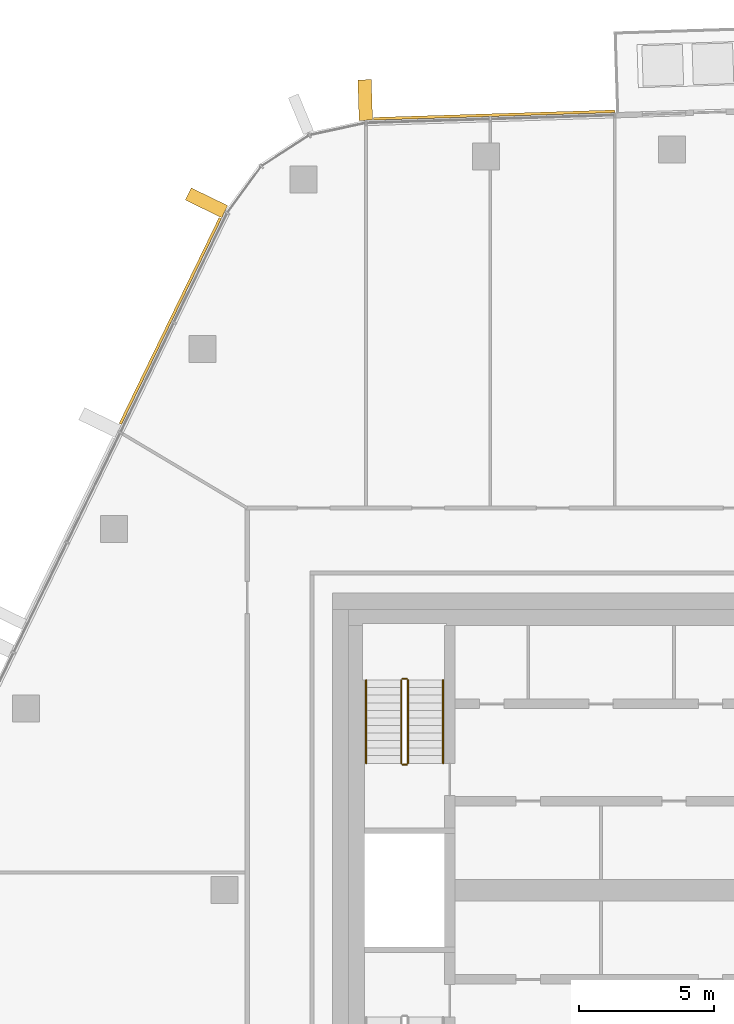
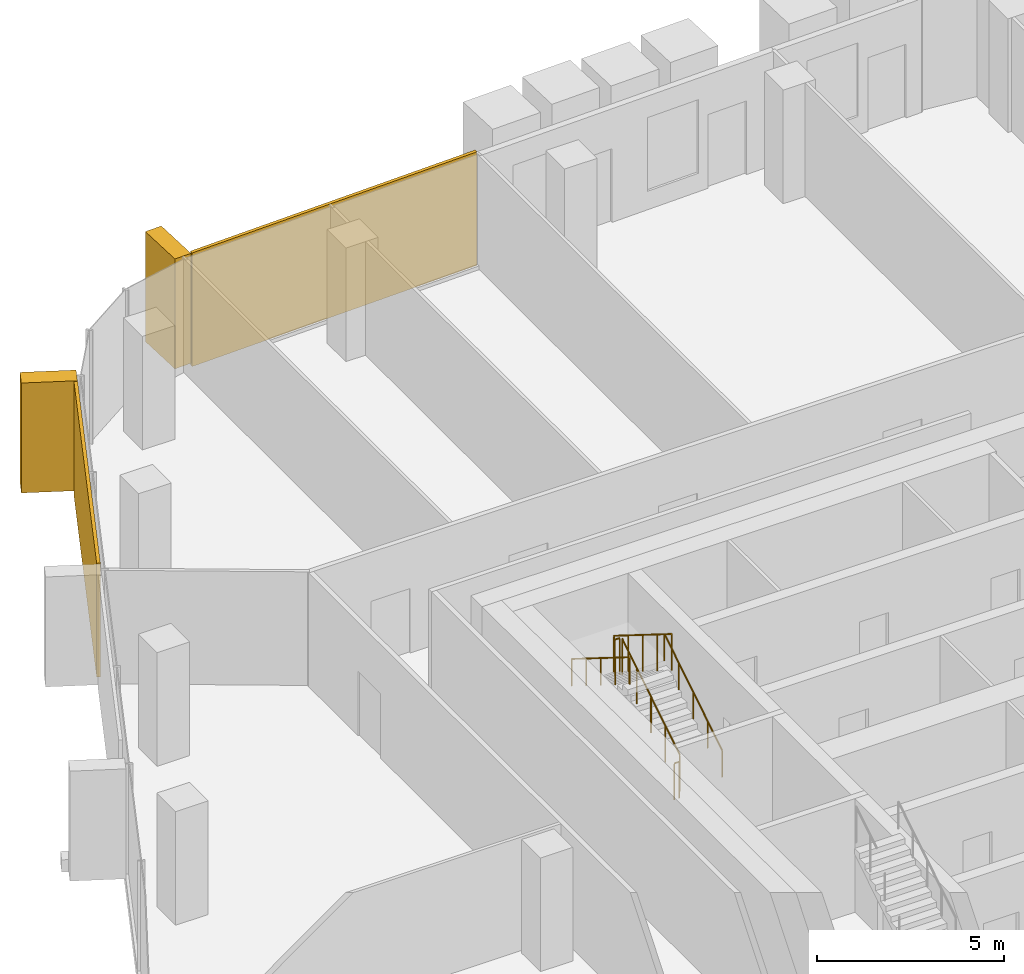
# One storey, part 22 of 24: 6 railings, 4 coverings, 2 elements without a shape of their own.
"""IFC4 building model written with IfcOpenShell, lengths in metres."""

import ifcopenshell
import ifcopenshell.guid

model = None  # the IFC model being written
_history = None  # IfcOwnerHistory: only IFC2X3 demands one
_inside = {}  # id of a spatial element -> (the spatial element, [elements in it])
_under = {}  # id of a project, library or spatial element -> (it, [spatial elements below it])
_declared = {}  # id of a project -> (the project, [libraries it declares])
_typed = {}  # id of a type object -> (the type object, [elements of that type])
_made_of = {}  # id of a material, layer set ... -> (it, [elements and type objects made of it])


def new_model(schema):
    """Start an empty IFC model of exactly this schema.

    Asked for "IFC4X3", IfcOpenShell would pick the latest addendum, in which some entities
    have other attributes; the version numbers below select the first issue.
    IFC2X3 requires an IfcOwnerHistory on every rooted entity: one is made here for all.
    """
    global model, _history
    if schema == "IFC4X3":
        model = ifcopenshell.file(schema_version=(4, 3, 0, 0))
    else:
        model = ifcopenshell.file(schema=schema)
    _inside.clear()
    _under.clear()
    _declared.clear()
    _typed.clear()
    _made_of.clear()
    _history = None
    if model.schema == "IFC2X3":
        org = make("IfcOrganization", Name="unknown")
        user = make(
            "IfcPersonAndOrganization",
            ThePerson=make("IfcPerson", FamilyName="unknown"),
            TheOrganization=org,
        )
        app = make(
            "IfcApplication",
            ApplicationDeveloper=org,
            Version="unknown",
            ApplicationFullName="unknown",
            ApplicationIdentifier="unknown",
        )
        _history = make(
            "IfcOwnerHistory",
            OwningUser=user,
            OwningApplication=app,
            ChangeAction="ADDED",
            CreationDate=0,
        )
    return model


def make(cls, **values):
    """One entity of the class cls with the attributes given. An attribute that is None is left unset."""
    return model.create_entity(
        cls, **{name: value for name, value in values.items() if value is not None}
    )


def rooted(cls, **values):
    """An entity with a GlobalId (a new one), such as an element, a storey or a relation."""
    return make(cls, GlobalId=ifcopenshell.guid.new(), OwnerHistory=_history, **values)


def si_unit(unit_type, name, prefix=None):
    """IfcSIUnit, for example si_unit("LENGTHUNIT", "METRE", prefix="MILLI")."""
    return make("IfcSIUnit", UnitType=unit_type, Prefix=prefix, Name=name)


def assignment(units):
    """IfcUnitAssignment: the units of a project."""
    return None if units is None else make("IfcUnitAssignment", Units=units)


def point(xyz):
    """IfcCartesianPoint."""
    return None if xyz is None else make("IfcCartesianPoint", Coordinates=xyz)


def direction(xyz):
    """IfcDirection."""
    return None if xyz is None else make("IfcDirection", DirectionRatios=xyz)


def frame(location, z_axis=None, x_axis=None):
    """IfcAxis2Placement3D, a coordinate frame: its origin and axes. An axis left out is left unset."""
    return make(
        "IfcAxis2Placement3D",
        Location=point(location),
        Axis=direction(z_axis),
        RefDirection=direction(x_axis),
    )


def frame_2d(location, x_axis=None):
    """IfcAxis2Placement2D, a coordinate frame in the plane: its origin and x axis."""
    return make(
        "IfcAxis2Placement2D", Location=point(location), RefDirection=direction(x_axis)
    )


def origin():
    """The frame at (0, 0, 0) with its axes left unset."""
    return frame((0.0, 0.0, 0.0))


def origin_2d():
    """The frame at (0, 0) in the plane with its x axis left unset."""
    return frame_2d((0.0, 0.0))


def place(relative_to, where):
    """IfcLocalPlacement: puts the frame where relative to a parent placement (None: the world)."""
    return make(
        "IfcLocalPlacement", PlacementRelTo=relative_to, RelativePlacement=where
    )


def context(
    kind, dimensions, precision=None, world=None, true_north=None, identifier=None
):
    """IfcGeometricRepresentationContext, for example the 3D "Model" context."""
    return make(
        "IfcGeometricRepresentationContext",
        ContextIdentifier=identifier,
        ContextType=kind,
        CoordinateSpaceDimension=dimensions,
        Precision=precision,
        WorldCoordinateSystem=world,
        TrueNorth=true_north,
    )


def subcontext(parent, identifier, kind, view, scale=None):
    """IfcGeometricRepresentationSubContext, for example "Body" below "Model"."""
    return make(
        "IfcGeometricRepresentationSubContext",
        ContextIdentifier=identifier,
        ContextType=kind,
        ParentContext=parent,
        TargetScale=scale,
        TargetView=view,
    )


def project(units=None, contexts=None):
    """IfcProject with its units and contexts."""
    return rooted(
        "IfcProject",
        Name="project",
        RepresentationContexts=contexts,
        UnitsInContext=assignment(units),
    )


def spatial(cls, under=None, at=None, **own):
    """A site, building, storey or space (cls), placed at a placement, below another one or the project."""
    s = rooted(cls, ObjectPlacement=at, **own)
    if under is not None:
        _under.setdefault(under.id(), (under, []))[1].append(s)
    return s


def profile(cls, at=None, kind="AREA", **sizes):
    """A parametric profile (cls). Its sizes go by their IFC names, for example OverallWidth=200.0."""
    return make(cls, ProfileType=kind, Position=at, **sizes)


def rectangle(**sizes):
    """IfcRectangleProfileDef."""
    return profile("IfcRectangleProfileDef", **sizes)


def circle(**sizes):
    """IfcCircleProfileDef."""
    return profile("IfcCircleProfileDef", **sizes)


def extrude(swept, where, along, depth):
    """IfcExtrudedAreaSolid: the profile swept, set in the frame where, extruded along a direction by depth."""
    return make(
        "IfcExtrudedAreaSolid",
        SweptArea=swept,
        Position=where,
        ExtrudedDirection=direction(along),
        Depth=depth,
    )


def shape(context_of_items, identifier, shape_type, items):
    """IfcShapeRepresentation: the items that make up one representation, for example the "Body"."""
    return make(
        "IfcShapeRepresentation",
        ContextOfItems=context_of_items,
        RepresentationIdentifier=identifier,
        RepresentationType=shape_type,
        Items=items,
    )


def material(Name=None, Category=None):
    """IfcMaterial."""
    return make("IfcMaterial", Name=Name, Category=Category)


def layer(
    of_material, thickness, ventilated=None, Name=None, Category=None, Priority=None
):
    """IfcMaterialLayer: one layer of a wall or slab, of a material (None: an air gap)."""
    return make(
        "IfcMaterialLayer",
        Material=of_material,
        LayerThickness=thickness,
        IsVentilated=ventilated,
        Name=Name,
        Category=Category,
        Priority=Priority,
    )


def layer_set(layers, Name=None):
    """IfcMaterialLayerSet."""
    return make("IfcMaterialLayerSet", MaterialLayers=layers, LayerSetName=Name)


def material_profile(
    of_material, cross_section, Name=None, Category=None, Priority=None
):
    """IfcMaterialProfile: a cross section and its material."""
    return make(
        "IfcMaterialProfile",
        Name=Name,
        Material=of_material,
        Profile=cross_section,
        Priority=Priority,
        Category=Category,
    )


def profile_set(profiles, Name=None, composite=None):
    """IfcMaterialProfileSet."""
    return make(
        "IfcMaterialProfileSet",
        Name=Name,
        MaterialProfiles=profiles,
        CompositeProfile=composite,
    )


def made_of(thing, what):
    """Note that an element or type object is made of a material, layer set ...; save() writes the relation."""
    if what is not None:
        _made_of.setdefault(what.id(), (what, []))[1].append(thing)
    return thing


def type_object(cls, material=None, **own):
    """A type object (cls), such as IfcWallType, which elements share."""
    return made_of(rooted(cls, **own), material)


def element(
    cls,
    number,
    at=None,
    inside=None,
    cuts=None,
    type_object=None,
    material=None,
    context=None,
    identifier="Body",
    shape_type=None,
    held_by="IfcProductDefinitionShape",
    body=None,
    shapes=None,
    **own,
):
    """One element of the class cls, such as IfcWall. Its Tag is "e" and its number.

    at: its placement. inside: the storey or other place that contains it. cuts: it is an
    opening in that element (IfcRelVoidsElement). A single representation is given by context,
    identifier, shape_type and body (its items); several are given by shapes. held_by: the class
    of the entity that holds the representations. save() writes the other relations.
    """
    e = rooted(cls, Tag="e%d" % number, ObjectPlacement=at, **own)
    if body is not None:
        shapes = [shape(context, identifier, shape_type, body)]
    if shapes is not None:
        e.Representation = make(held_by, Representations=shapes)
    if inside is not None:
        _inside.setdefault(inside.id(), (inside, []))[1].append(e)
    if cuts is not None:
        rooted(
            "IfcRelVoidsElement", RelatingBuildingElement=cuts, RelatedOpeningElement=e
        )
    if type_object is not None:
        _typed.setdefault(type_object.id(), (type_object, []))[1].append(e)
    return made_of(e, material)


def aggregate(whole, parts):
    """IfcRelAggregates: a whole, such as a stair, and the parts it consists of."""
    return rooted("IfcRelAggregates", RelatingObject=whole, RelatedObjects=parts)


def save(model, path):
    """Write the relations noted so far, then the file.

    IfcRelAggregates (storeys below a building ...), IfcRelContainedInSpatialStructure (elements
    in a storey), IfcRelDefinesByType, IfcRelAssociatesMaterial and IfcRelDeclares: one each for
    every whole, place, type object, material and project.
    """
    for whole, parts in _under.values():
        aggregate(whole, parts)
    for where, things in _inside.values():
        rooted(
            "IfcRelContainedInSpatialStructure",
            RelatedElements=things,
            RelatingStructure=where,
        )
    for kind, things in _typed.values():
        rooted("IfcRelDefinesByType", RelatedObjects=things, RelatingType=kind)
    for what, things in _made_of.values():
        rooted("IfcRelAssociatesMaterial", RelatedObjects=things, RelatingMaterial=what)
    for by, libraries in _declared.values():
        rooted("IfcRelDeclares", RelatingContext=by, RelatedDefinitions=libraries)
    model.write(path)


model = new_model("IFC4")

# Units and contexts
model_context = context("Model", 3, precision=1e-05, world=origin(), true_north=direction((0.0, 1.0)))
body_context = subcontext(model_context, "Body", "Model", "MODEL_VIEW")
ifc_project = project(units=[si_unit("LENGTHUNIT", "METRE"), si_unit("AREAUNIT", "SQUARE_METRE"), si_unit("VOLUMEUNIT", "CUBIC_METRE"), si_unit("PLANEANGLEUNIT", "RADIAN"), si_unit("MASSUNIT", "GRAM", prefix="KILO")], contexts=[model_context])

# Site, building, storey
site_placement = place(None, origin())
site = spatial("IfcSite", under=ifc_project, at=site_placement, CompositionType="ELEMENT")
building_placement = place(site_placement, origin())
building = spatial("IfcBuilding", under=site, at=building_placement, Name="Dongbaek Canopy Tower", CompositionType="ELEMENT")
storey_placement = place(building_placement, frame((0.0, 0.0, 348.800048828125)))
storey = spatial("IfcBuildingStorey", under=building, at=storey_placement, Name="L75", CompositionType="ELEMENT", Elevation=348.800048828125)

# Curtain wall, covering
ifc_material_1 = material(Name="Aluminium 6063-T6 pale anodised", Category="aluminium")
ifc_layer_1 = layer(ifc_material_1, 0.199951171875)
ifc_layer_set_1 = layer_set([ifc_layer_1], Name="CW-1 unitised tower curtain wall")
curtain_wall_type = type_object("IfcCurtainWallType", Name="CW-1 unitised tower curtain wall", PredefinedType="NOTDEFINED", material=ifc_layer_set_1)
curtain_wall_1_placement = place(storey_placement, origin())
curtain_wall_1 = element("IfcCurtainWall", 1, at=curtain_wall_1_placement, inside=storey, type_object=curtain_wall_type, Name="CW-1 curtain wall F1.1", PredefinedType="NOTDEFINED")
ifc_material_2 = material(Name="Perforated aluminium 6063-T6 pale metal screen", Category="aluminium")
ifc_layer_2 = layer(ifc_material_2, 0.10009765625)
ifc_layer_set_2 = layer_set([ifc_layer_2], Name="Facet screen FS1 100 pale metal")
covering_type_1 = type_object("IfcCoveringType", Name="Facet screen FS1 100 pale metal", PredefinedType="CLADDING", material=ifc_layer_set_2)
covering_1_placement = place(storey_placement, frame((-8.00634765625, 28.7041015625, 0.0), z_axis=(0.0, 0.0, 1.0), x_axis=(-0.999519251272, -0.031004295439, 0.0)))
covering_1 = element("IfcCovering", 2, at=covering_1_placement, type_object=covering_type_1, Name="Facet screen L75 F1", PredefinedType="CLADDING", context=body_context, shape_type="SweptSolid", body=[
    extrude(rectangle(XDim=8.934326171875, YDim=0.10009765625, at=origin_2d()), origin(), (0.0, 0.0, 1.0), 3.699951171875),
])

curtain_wall_2_placement = place(storey_placement, origin())
curtain_wall_2 = element("IfcCurtainWall", 3, at=curtain_wall_2_placement, inside=storey, type_object=curtain_wall_type, Name="CW-1 curtain wall F2.1", PredefinedType="NOTDEFINED")
covering_2_placement = place(storey_placement, frame((-20.0009765625, 21.077392578125, 0.0), z_axis=(0.0, 0.0, 1.0), x_axis=(-0.436790798164, -0.899563115429, 0.0)))
covering_2 = element("IfcCovering", 4, at=covering_2_placement, type_object=covering_type_1, Name="Facet screen L75 F2", PredefinedType="CLADDING", context=body_context, shape_type="SweptSolid", body=[
    extrude(rectangle(XDim=8.46484375, YDim=0.10009765625, at=origin_2d()), origin(), (0.0, 0.0, 1.0), 3.699951171875),
])

# Covering
ifc_material_3 = material(Name="Aluminium 6063-T6 pale metal fin", Category="aluminium")
ifc_material_profile = material_profile(ifc_material_3, rectangle(XDim=1.5, YDim=0.5, at=origin_2d()), Name="Fin FN1 500 x 1500 pale metal")
ifc_profile_set = profile_set([ifc_material_profile], Name="Aluminium 6063-T6 pale metal fin")
covering_type_2 = type_object("IfcCoveringType", Name="Fin FN1 500 x 1500 pale metal", PredefinedType="CLADDING", material=ifc_profile_set)
covering_3_placement = place(storey_placement, frame((-12.782958984375, 29.26025390625, 0.119873046875), z_axis=(0.0, 0.0, 1.0), x_axis=(-0.031003432615, 0.999519278036, 0.0)))
covering_3 = element("IfcCovering", 5, at=covering_3_placement, type_object=covering_type_2, Name="Fin F1.1.3", PredefinedType="CLADDING", context=body_context, shape_type="SweptSolid", body=[
    extrude(rectangle(XDim=1.5, YDim=0.5, at=origin_2d()), origin(), (0.0, 0.0, 1.0), 3.580078125),
])

aggregate(curtain_wall_1, [covering_3, covering_1])

covering_4_placement = place(storey_placement, frame((-18.658935546875, 25.453369140625, 0.119873046875), z_axis=(0.0, 0.0, 1.0), x_axis=(-0.899562865898, 0.436791312067, 0.0)))
covering_4 = element("IfcCovering", 6, at=covering_4_placement, type_object=covering_type_2, Name="Fin F2.1.1", PredefinedType="CLADDING", context=body_context, shape_type="SweptSolid", body=[
    extrude(rectangle(XDim=1.5, YDim=0.5, at=origin_2d()), origin(), (0.0, 0.0, 1.0), 3.580078125),
])

aggregate(curtain_wall_2, [covering_4, covering_2])

# Railings
ifc_material_4 = material(Name="Stainless steel tube and balusters", Category="steel")
railing_type_1 = type_object("IfcRailingType", Name="Stair guard 1200", PredefinedType="GUARDRAIL", material=ifc_material_4)
railing_1_placement = place(storey_placement, frame((-11.199951171875, 4.699951171875, 0.175048828125)))
element("IfcRailing", 7, at=railing_1_placement, inside=storey, type_object=railing_type_1, Name="L75 ST-C stair guard 1", PredefinedType="GUARDRAIL", context=body_context, shape_type="SweptSolid", body=[
    extrude(circle(Radius=0.02392578125, at=origin_2d()), frame((0.0, 0.0, 1.17578125), z_axis=(0.0, 0.848028513186, 0.529950602248), x_axis=(-1.0, 0.0, 0.0)), (0.0, 0.0, 1.0), 3.632080078125),
    extrude(circle(Radius=0.02099609375, at=origin_2d()), origin(), (0.0, 0.0, 1.0), 1.15185546875),
    extrude(circle(Radius=0.02099609375, at=origin_2d()), frame((0.0, 0.77001953125, 0.481201171875)), (0.0, 0.0, 1.0), 1.15185546875),
    extrude(circle(Radius=0.02099609375, at=origin_2d()), frame((0.0, 1.5400390625, 0.96240234375)), (0.0, 0.0, 1.0), 1.15185546875),
    extrude(circle(Radius=0.02099609375, at=origin_2d()), frame((0.0, 2.31005859375, 1.443603515625)), (0.0, 0.0, 1.0), 1.15185546875),
    extrude(circle(Radius=0.02099609375, at=origin_2d()), frame((0.0, 3.080078125, 1.9248046875)), (0.0, 0.0, 1.0), 1.15185546875),
])
railing_2_placement = place(storey_placement, frame((-11.25, 7.830078125, 2.099853515625)))
element("IfcRailing", 8, at=railing_2_placement, inside=storey, type_object=railing_type_1, Name="L75 ST-C stair guard 2", PredefinedType="GUARDRAIL", context=body_context, shape_type="SweptSolid", body=[
    extrude(circle(Radius=0.02392578125, at=origin_2d()), frame((0.0, 0.0, 1.17578125), z_axis=(-1.0, 0.0, 0.0), x_axis=(0.0, -1.0, 0.0)), (0.0, 0.0, 1.0), 0.14990234375),
    extrude(circle(Radius=0.02099609375, at=origin_2d()), origin(), (0.0, 0.0, 1.0), 1.15185546875),
    extrude(circle(Radius=0.02099609375, at=origin_2d()), frame((-0.14990234375, 0.0, 0.0)), (0.0, 0.0, 1.0), 1.15185546875),
])
railing_3_placement = place(storey_placement, frame((-11.449951171875, 7.780029296875, 2.27490234375)))
element("IfcRailing", 9, at=railing_3_placement, inside=storey, type_object=railing_type_1, Name="L75 ST-C stair guard 3", PredefinedType="GUARDRAIL", context=body_context, shape_type="SweptSolid", body=[
    extrude(circle(Radius=0.02392578125, at=origin_2d()), frame((0.0, 0.0, 1.17578125), z_axis=(0.0, -0.847998304005, 0.529998940003), x_axis=(1.0, 0.0, 0.0)), (0.0, 0.0, 1.0), 3.632080078125),
    extrude(circle(Radius=0.02099609375, at=origin_2d()), origin(), (0.0, 0.0, 1.0), 1.15185546875),
    extrude(circle(Radius=0.02099609375, at=origin_2d()), frame((0.0, -0.77001953125, 0.481201171875)), (0.0, 0.0, 1.0), 1.15185546875),
    extrude(circle(Radius=0.02099609375, at=origin_2d()), frame((0.0, -1.5400390625, 0.96240234375)), (0.0, 0.0, 1.0), 1.15185546875),
    extrude(circle(Radius=0.02099609375, at=origin_2d()), frame((0.0, -2.31005859375, 1.44384765625)), (0.0, 0.0, 1.0), 1.15185546875),
    extrude(circle(Radius=0.02099609375, at=origin_2d()), frame((0.0, -3.080078125, 1.925048828125)), (0.0, 0.0, 1.0), 1.15185546875),
])
railing_4_placement = place(storey_placement, frame((-11.25, 4.64990234375, 0.0)))
element("IfcRailing", 10, at=railing_4_placement, inside=storey, type_object=railing_type_1, Name="L75 ST-C stair guard 4", PredefinedType="GUARDRAIL", context=body_context, shape_type="SweptSolid", body=[
    extrude(circle(Radius=0.02392578125, at=origin_2d()), frame((0.0, 0.0, 1.17578125), z_axis=(-1.0, 0.0, 0.0), x_axis=(0.0, -1.0, 0.0)), (0.0, 0.0, 1.0), 0.14990234375),
    extrude(circle(Radius=0.02099609375, at=origin_2d()), origin(), (0.0, 0.0, 1.0), 1.15185546875),
    extrude(circle(Radius=0.02099609375, at=origin_2d()), frame((-0.14990234375, 0.0, 0.0)), (0.0, 0.0, 1.0), 1.15185546875),
])
ifc_material_5 = material(Name="Stainless steel tube", Category="steel")
railing_type_2 = type_object("IfcRailingType", Name="Stair handrail 900", PredefinedType="HANDRAIL", material=ifc_material_5)
railing_5_placement = place(storey_placement, frame((-9.89990234375, 4.699951171875, 0.175048828125)))
element("IfcRailing", 11, at=railing_5_placement, inside=storey, type_object=railing_type_2, Name="L75 ST-C stair handrail 1", PredefinedType="HANDRAIL", context=body_context, shape_type="SweptSolid", body=[
    extrude(circle(Radius=0.02392578125, at=origin_2d()), frame((0.0, 0.0, 0.8759765625), z_axis=(0.0, 0.848028513186, 0.529950602248), x_axis=(-1.0, 0.0, 0.0)), (0.0, 0.0, 1.0), 3.632080078125),
    extrude(circle(Radius=0.02099609375, at=origin_2d()), origin(), (0.0, 0.0, 1.0), 0.851806640625),
    extrude(circle(Radius=0.02099609375, at=origin_2d()), frame((0.0, 0.77001953125, 0.481201171875)), (0.0, 0.0, 1.0), 0.851806640625),
    extrude(circle(Radius=0.02099609375, at=origin_2d()), frame((0.0, 1.5400390625, 0.96240234375)), (0.0, 0.0, 1.0), 0.851806640625),
    extrude(circle(Radius=0.02099609375, at=origin_2d()), frame((0.0, 2.31005859375, 1.443603515625)), (0.0, 0.0, 1.0), 0.851806640625),
    extrude(circle(Radius=0.02099609375, at=origin_2d()), frame((0.0, 3.080078125, 1.9248046875)), (0.0, 0.0, 1.0), 0.851806640625),
])
railing_6_placement = place(storey_placement, frame((-12.75, 7.780029296875, 2.27490234375)))
element("IfcRailing", 12, at=railing_6_placement, inside=storey, type_object=railing_type_2, Name="L75 ST-C stair handrail 2", PredefinedType="HANDRAIL", context=body_context, shape_type="SweptSolid", body=[
    extrude(circle(Radius=0.02392578125, at=origin_2d()), frame((0.0, 0.0, 0.8759765625), z_axis=(0.0, -0.847998304005, 0.529998940003), x_axis=(1.0, 0.0, 0.0)), (0.0, 0.0, 1.0), 3.632080078125),
    extrude(circle(Radius=0.02099609375, at=origin_2d()), origin(), (0.0, 0.0, 1.0), 0.851806640625),
    extrude(circle(Radius=0.02099609375, at=origin_2d()), frame((0.0, -0.77001953125, 0.481201171875)), (0.0, 0.0, 1.0), 0.851806640625),
    extrude(circle(Radius=0.02099609375, at=origin_2d()), frame((0.0, -1.5400390625, 0.96240234375)), (0.0, 0.0, 1.0), 0.851806640625),
    extrude(circle(Radius=0.02099609375, at=origin_2d()), frame((0.0, -2.31005859375, 1.44384765625)), (0.0, 0.0, 1.0), 0.851806640625),
    extrude(circle(Radius=0.02099609375, at=origin_2d()), frame((0.0, -3.080078125, 1.925048828125)), (0.0, 0.0, 1.0), 0.851806640625),
])

save(model, "model.ifc")
